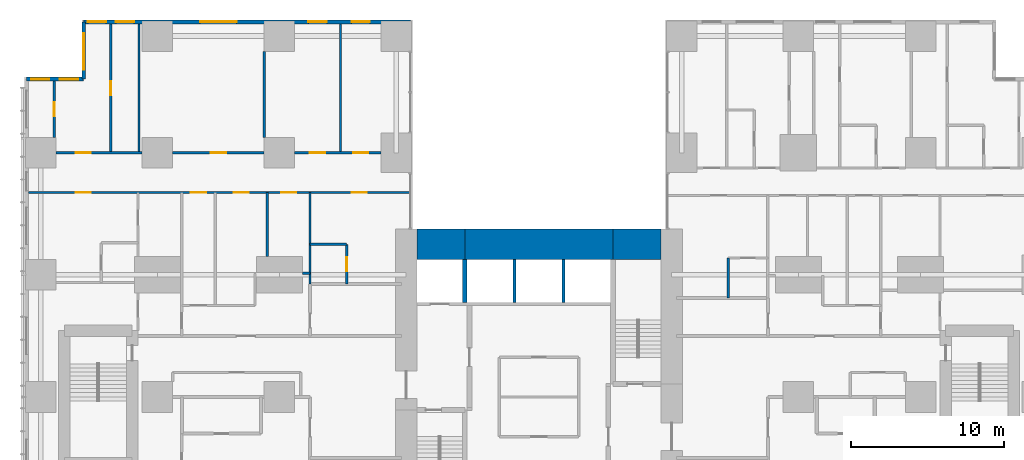
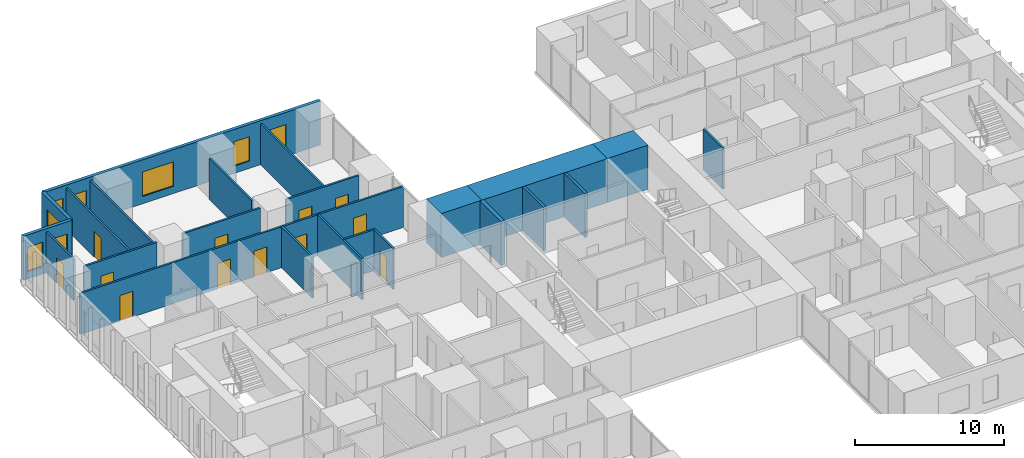
# One storey, part 17 of 21: 24 walls, 12 doors, 8 windows, 20 openings.
"""IFC4 building model written with IfcOpenShell, lengths in metres."""

from ifc_helpers import new_model, si_unit, direction, frame, frame_2d, origin, place, context, subcontext, project, spatial, rectangle, extrude, material, layer, layer_set, type_object, element, fill, save


model = new_model("IFC4")

# Units and contexts
model_context = context("Model", 3, precision=1e-05, world=origin(), true_north=direction((0.0, 1.0)))
body_context = subcontext(model_context, "Body", "Model", "MODEL_VIEW")
ifc_project = project(units=[si_unit("LENGTHUNIT", "METRE"), si_unit("AREAUNIT", "SQUARE_METRE"), si_unit("VOLUMEUNIT", "CUBIC_METRE"), si_unit("PLANEANGLEUNIT", "RADIAN"), si_unit("MASSUNIT", "GRAM", prefix="KILO")], contexts=[model_context])

# Site, building, storey
site_placement = place(None, origin())
site = spatial("IfcSite", under=ifc_project, at=site_placement, CompositionType="ELEMENT")
building_placement = place(site_placement, origin())
building = spatial("IfcBuilding", under=site, at=building_placement, Name="Cleftline Residences", CompositionType="ELEMENT")
storey_placement = place(building_placement, frame((0.0, 0.0, 58.39990234375)))
storey = spatial("IfcBuildingStorey", under=building, at=storey_placement, Name="L14", CompositionType="ELEMENT", Elevation=58.39990234375)

# Walls
ifc_material_1 = material(Name="Concrete B70", Category="concrete")
ifc_layer_1 = layer(ifc_material_1, 2.0)
ifc_layer_set_1 = layer_set([ifc_layer_1], Name="CORE WALL 2000")
wall_type_1 = type_object("IfcWallType", Name="CORE WALL 2000", PredefinedType="SHEAR", material=ifc_layer_set_1)
wall_1_placement = place(storey_placement, frame((25.0, 34.0, 0.0), z_axis=(0.0, 0.0, 1.0), x_axis=(1.0, 0.0, 0.0)))
element("IfcWall", 1, at=wall_1_placement, inside=storey, type_object=wall_type_1, Name="Core wall N1", PredefinedType="SHEAR", context=body_context, shape_type="SweptSolid", body=[
    extrude(rectangle(XDim=3.14990234375, YDim=2.0, at=frame_2d((1.574951171875, 0.0))), origin(), (0.0, 0.0, 1.0), 3.60009765625),
])
wall_2_placement = place(storey_placement, frame((28.14990234375, 34.0, 0.0), z_axis=(0.0, 0.0, 1.0), x_axis=(1.0, 0.0, 0.0)))
element("IfcWall", 2, at=wall_2_placement, inside=storey, type_object=wall_type_1, Name="Core wall N2", PredefinedType="SHEAR", context=body_context, shape_type="SweptSolid", body=[
    extrude(rectangle(XDim=9.7001953125, YDim=2.0, at=frame_2d((4.85009765625, 0.0))), origin(), (0.0, 0.0, 1.0), 3.60009765625),
])
wall_3_placement = place(storey_placement, frame((37.85009765625, 34.0, 0.0), z_axis=(0.0, 0.0, 1.0), x_axis=(1.0, 0.0, 0.0)))
element("IfcWall", 3, at=wall_3_placement, inside=storey, type_object=wall_type_1, Name="Core wall N3", PredefinedType="SHEAR", context=body_context, shape_type="SweptSolid", body=[
    extrude(rectangle(XDim=3.14990234375, YDim=2.0, at=frame_2d((1.574951171875, 0.0))), origin(), (0.0, 0.0, 1.0), 3.60009765625),
])
ifc_material_2 = material(Name="Concrete B70", Category="concrete")
ifc_layer_2 = layer(ifc_material_2, 0.300048828125)
ifc_layer_set_2 = layer_set([ifc_layer_2], Name="CORE WALL 300")
wall_type_2 = type_object("IfcWallType", Name="CORE WALL 300", PredefinedType="SHEAR", material=ifc_layer_set_2)
wall_4_placement = place(storey_placement, frame((28.14990234375, 30.199951171875, 0.0), z_axis=(0.0, 0.0, 1.0), x_axis=(0.0, 1.0, 0.0)))
element("IfcWall", 4, at=wall_4_placement, inside=storey, type_object=wall_type_2, Name="Lift shaft wall", PredefinedType="SHEAR", context=body_context, shape_type="SweptSolid", body=[
    extrude(rectangle(XDim=2.800048828125, YDim=0.300048828125, at=frame_2d((1.39990234375, 0.0))), origin(), (0.0, 0.0, 1.0), 3.60009765625),
])

# Wall, openings, windows
ifc_material_3 = material(Name="Rendered reinforced concrete blockwork", Category="masonry")
ifc_layer_3 = layer(ifc_material_3, 0.25)
ifc_layer_set_3 = layer_set([ifc_layer_3], Name="EXTERNAL WALL 250")
wall_type_3 = type_object("IfcWallType", Name="EXTERNAL WALL 250", PredefinedType="SOLIDWALL", material=ifc_layer_set_3)
wall_5_placement = place(storey_placement, frame((24.574951171875, 48.574951171875, 0.0), z_axis=(0.0, 0.0, 1.0), x_axis=(-1.0, 0.0, 0.0)))
wall_5 = element("IfcWall", 5, at=wall_5_placement, inside=storey, type_object=wall_type_3, Name="External wall", PredefinedType="SOLIDWALL", context=body_context, shape_type="SweptSolid", body=[
    extrude(rectangle(XDim=21.39990234375, YDim=0.25, at=frame_2d((10.699951171875, 0.0))), origin(), (0.0, 0.0, 1.0), 3.60009765625),
])
opening_1_placement = place(wall_5_placement, frame((2.64990234375, 0.0, 0.60009765625)))
opening_1 = element("IfcOpeningElement", 6, at=opening_1_placement, cuts=wall_5, Name="Opening W8", PredefinedType="OPENING", context=body_context, shape_type="SweptSolid", body=[
    extrude(rectangle(XDim=1.199951171875, YDim=2.0, at=frame_2d((0.60009765625, 1.0))), frame((0.0, 0.135009765625, 0.0), z_axis=(0.0, -1.0, 0.0), x_axis=(1.0, 0.0, 0.0)), (0.0, 0.0, 1.0), 0.27001953125),
])
opening_2_placement = place(wall_5_placement, frame((5.47509765625, 0.0, 0.60009765625)))
opening_2 = element("IfcOpeningElement", 7, at=opening_2_placement, cuts=wall_5, Name="Opening W8", PredefinedType="OPENING", context=body_context, shape_type="SweptSolid", body=[
    extrude(rectangle(XDim=1.199951171875, YDim=2.0, at=frame_2d((0.60009765625, 1.0))), frame((0.0, 0.135009765625, 0.0), z_axis=(0.0, -1.0, 0.0), x_axis=(1.0, 0.0, 0.0)), (0.0, 0.0, 1.0), 0.27001953125),
])
opening_3_placement = place(wall_5_placement, frame((11.375, 0.0, 0.60009765625)))
opening_3 = element("IfcOpeningElement", 8, at=opening_3_placement, cuts=wall_5, Name="Opening W6", PredefinedType="OPENING", context=body_context, shape_type="SweptSolid", body=[
    extrude(rectangle(XDim=2.39990234375, YDim=2.0, at=frame_2d((1.199951171875, 1.0))), frame((0.0, 0.135009765625, 0.0), z_axis=(0.0, -1.0, 0.0), x_axis=(1.0, 0.0, 0.0)), (0.0, 0.0, 1.0), 0.27001953125),
])
opening_4_placement = place(wall_5_placement, frame((18.10009765625, 0.0, 0.60009765625)))
opening_4 = element("IfcOpeningElement", 9, at=opening_4_placement, cuts=wall_5, Name="Opening W8", PredefinedType="OPENING", context=body_context, shape_type="SweptSolid", body=[
    extrude(rectangle(XDim=1.199951171875, YDim=2.0, at=frame_2d((0.60009765625, 1.0))), frame((0.0, 0.135009765625, 0.0), z_axis=(0.0, -1.0, 0.0), x_axis=(1.0, 0.0, 0.0)), (0.0, 0.0, 1.0), 0.27001953125),
])
opening_5_placement = place(wall_5_placement, frame((19.925048828125, 0.0, 0.60009765625)))
opening_5 = element("IfcOpeningElement", 10, at=opening_5_placement, cuts=wall_5, Name="Opening W8", PredefinedType="OPENING", context=body_context, shape_type="SweptSolid", body=[
    extrude(rectangle(XDim=1.199951171875, YDim=2.0, at=frame_2d((0.60009765625, 1.0))), frame((0.0, 0.135009765625, 0.0), z_axis=(0.0, -1.0, 0.0), x_axis=(1.0, 0.0, 0.0)), (0.0, 0.0, 1.0), 0.27001953125),
])
ifc_material_4 = material(Name="Aluminium frame, clear double glazing", Category="aluminium")
window_type_1 = type_object("IfcWindowType", Name="WINDOW 1200X2000", PartitioningType="DOUBLE_PANEL_VERTICAL", PredefinedType="WINDOW", material=ifc_material_4)
window_1_placement = place(opening_1_placement, origin())
window_1 = element("IfcWindow", 11, at=window_1_placement, inside=storey, type_object=window_type_1, Name="Window", OverallHeight=2.0, OverallWidth=1.199951171875, PartitioningType="SINGLE_PANEL", PredefinedType="WINDOW", context=body_context, shape_type="SweptSolid", body=[
    extrude(rectangle(XDim=1.199951171875, YDim=2.0, at=frame_2d((0.60009765625, 1.0))), frame((0.0, 0.030029296875, 0.0), z_axis=(0.0, -1.0, 0.0), x_axis=(1.0, 0.0, 0.0)), (0.0, 0.0, 1.0), 0.06005859375),
])
fill(opening_1, window_1)
window_2_placement = place(opening_2_placement, origin())
window_2 = element("IfcWindow", 12, at=window_2_placement, inside=storey, type_object=window_type_1, Name="Window", OverallHeight=2.0, OverallWidth=1.199951171875, PartitioningType="SINGLE_PANEL", PredefinedType="WINDOW", context=body_context, shape_type="SweptSolid", body=[
    extrude(rectangle(XDim=1.199951171875, YDim=2.0, at=frame_2d((0.60009765625, 1.0))), frame((0.0, 0.030029296875, 0.0), z_axis=(0.0, -1.0, 0.0), x_axis=(1.0, 0.0, 0.0)), (0.0, 0.0, 1.0), 0.06005859375),
])
fill(opening_2, window_2)
window_3_placement = place(opening_4_placement, origin())
window_3 = element("IfcWindow", 13, at=window_3_placement, inside=storey, type_object=window_type_1, Name="Window", OverallHeight=2.0, OverallWidth=1.199951171875, PartitioningType="SINGLE_PANEL", PredefinedType="WINDOW", context=body_context, shape_type="SweptSolid", body=[
    extrude(rectangle(XDim=1.199951171875, YDim=2.0, at=frame_2d((0.60009765625, 1.0))), frame((0.0, 0.030029296875, 0.0), z_axis=(0.0, -1.0, 0.0), x_axis=(1.0, 0.0, 0.0)), (0.0, 0.0, 1.0), 0.06005859375),
])
fill(opening_4, window_3)
window_4_placement = place(opening_5_placement, origin())
window_4 = element("IfcWindow", 14, at=window_4_placement, inside=storey, type_object=window_type_1, Name="Window", OverallHeight=2.0, OverallWidth=1.199951171875, PartitioningType="SINGLE_PANEL", PredefinedType="WINDOW", context=body_context, shape_type="SweptSolid", body=[
    extrude(rectangle(XDim=1.199951171875, YDim=2.0, at=frame_2d((0.60009765625, 1.0))), frame((0.0, 0.030029296875, 0.0), z_axis=(0.0, -1.0, 0.0), x_axis=(1.0, 0.0, 0.0)), (0.0, 0.0, 1.0), 0.06005859375),
])
fill(opening_5, window_4)
ifc_material_5 = material(Name="Aluminium frame, clear double glazing", Category="aluminium")
window_type_2 = type_object("IfcWindowType", Name="WINDOW 2400X2000", PartitioningType="DOUBLE_PANEL_VERTICAL", PredefinedType="WINDOW", material=ifc_material_5)
window_5_placement = place(opening_3_placement, origin())
window_5 = element("IfcWindow", 15, at=window_5_placement, inside=storey, type_object=window_type_2, Name="Window", OverallHeight=2.0, OverallWidth=2.39990234375, PartitioningType="SINGLE_PANEL", PredefinedType="WINDOW", context=body_context, shape_type="SweptSolid", body=[
    extrude(rectangle(XDim=2.39990234375, YDim=2.0, at=frame_2d((1.199951171875, 1.0))), frame((0.0, 0.030029296875, 0.0), z_axis=(0.0, -1.0, 0.0), x_axis=(1.0, 0.0, 0.0)), (0.0, 0.0, 1.0), 0.06005859375),
])
fill(opening_3, window_5)

# Wall, opening, window
wall_6_placement = place(storey_placement, frame((3.175048828125, 48.574951171875, 0.0), z_axis=(0.0, 0.0, 1.0), x_axis=(0.0, -1.0, 0.0)))
wall_6 = element("IfcWall", 16, at=wall_6_placement, inside=storey, type_object=wall_type_3, Name="External wall", PredefinedType="SOLIDWALL", context=body_context, shape_type="SweptSolid", body=[
    extrude(rectangle(XDim=3.75, YDim=0.25, at=frame_2d((1.875, 0.0))), origin(), (0.0, 0.0, 1.0), 3.60009765625),
])
opening_6_placement = place(wall_6_placement, frame((0.737548828125, 0.0, 0.60009765625)))
opening_6 = element("IfcOpeningElement", 17, at=opening_6_placement, cuts=wall_6, Name="Opening W6", PredefinedType="OPENING", context=body_context, shape_type="SweptSolid", body=[
    extrude(rectangle(XDim=2.39990234375, YDim=2.0, at=frame_2d((1.199951171875, 1.0))), frame((0.0, 0.135009765625, 0.0), z_axis=(0.0, -1.0, 0.0), x_axis=(1.0, 0.0, 0.0)), (0.0, 0.0, 1.0), 0.27001953125),
])
window_6_placement = place(opening_6_placement, origin())
window_6 = element("IfcWindow", 18, at=window_6_placement, inside=storey, type_object=window_type_2, Name="Window", OverallHeight=2.0, OverallWidth=2.39990234375, PartitioningType="SINGLE_PANEL", PredefinedType="WINDOW", context=body_context, shape_type="SweptSolid", body=[
    extrude(rectangle(XDim=2.39990234375, YDim=2.0, at=frame_2d((1.199951171875, 1.0))), frame((0.0, 0.030029296875, 0.0), z_axis=(0.0, -1.0, 0.0), x_axis=(1.0, 0.0, 0.0)), (0.0, 0.0, 1.0), 0.06005859375),
])
fill(opening_6, window_6)

# Wall, openings, windows
wall_7_placement = place(storey_placement, frame((3.175048828125, 44.824951171875, 0.0), z_axis=(0.0, 0.0, 1.0), x_axis=(-1.0, 0.0, 0.0)))
wall_7 = element("IfcWall", 19, at=wall_7_placement, inside=storey, type_object=wall_type_3, Name="External wall", PredefinedType="SOLIDWALL", context=body_context, shape_type="SweptSolid", body=[
    extrude(rectangle(XDim=3.75, YDim=0.25, at=frame_2d((1.875, 0.0))), origin(), (0.0, 0.0, 1.0), 3.60009765625),
])
opening_7_placement = place(wall_7_placement, frame((0.362548828125, 0.0, 0.60009765625)))
opening_7 = element("IfcOpeningElement", 20, at=opening_7_placement, cuts=wall_7, Name="Opening W8", PredefinedType="OPENING", context=body_context, shape_type="SweptSolid", body=[
    extrude(rectangle(XDim=1.199951171875, YDim=2.0, at=frame_2d((0.60009765625, 1.0))), frame((0.0, 0.135009765625, 0.0), z_axis=(0.0, -1.0, 0.0), x_axis=(1.0, 0.0, 0.0)), (0.0, 0.0, 1.0), 0.27001953125),
])
opening_8_placement = place(wall_7_placement, frame((2.25, 0.0, 0.60009765625)))
opening_8 = element("IfcOpeningElement", 21, at=opening_8_placement, cuts=wall_7, Name="Opening W8", PredefinedType="OPENING", context=body_context, shape_type="SweptSolid", body=[
    extrude(rectangle(XDim=1.199951171875, YDim=2.0, at=frame_2d((0.60009765625, 1.0))), frame((0.0, 0.135009765625, 0.0), z_axis=(0.0, -1.0, 0.0), x_axis=(1.0, 0.0, 0.0)), (0.0, 0.0, 1.0), 0.27001953125),
])
window_7_placement = place(opening_7_placement, origin())
window_7 = element("IfcWindow", 22, at=window_7_placement, inside=storey, type_object=window_type_1, Name="Window", OverallHeight=2.0, OverallWidth=1.199951171875, PartitioningType="SINGLE_PANEL", PredefinedType="WINDOW", context=body_context, shape_type="SweptSolid", body=[
    extrude(rectangle(XDim=1.199951171875, YDim=2.0, at=frame_2d((0.60009765625, 1.0))), frame((0.0, 0.030029296875, 0.0), z_axis=(0.0, -1.0, 0.0), x_axis=(1.0, 0.0, 0.0)), (0.0, 0.0, 1.0), 0.06005859375),
])
fill(opening_7, window_7)
window_8_placement = place(opening_8_placement, origin())
window_8 = element("IfcWindow", 23, at=window_8_placement, inside=storey, type_object=window_type_1, Name="Window", OverallHeight=2.0, OverallWidth=1.199951171875, PartitioningType="SINGLE_PANEL", PredefinedType="WINDOW", context=body_context, shape_type="SweptSolid", body=[
    extrude(rectangle(XDim=1.199951171875, YDim=2.0, at=frame_2d((0.60009765625, 1.0))), frame((0.0, 0.030029296875, 0.0), z_axis=(0.0, -1.0, 0.0), x_axis=(1.0, 0.0, 0.0)), (0.0, 0.0, 1.0), 0.06005859375),
])
fill(opening_8, window_8)

# Walls
ifc_material_6 = material(Name="Gypsum board on steel studs", Category="steel")
ifc_layer_4 = layer(ifc_material_6, 0.14990234375)
ifc_layer_set_4 = layer_set([ifc_layer_4], Name="PARTITION 150")
wall_type_4 = type_object("IfcWallType", Name="PARTITION 150", PredefinedType="PARTITIONING", material=ifc_layer_set_4)
wall_8_placement = place(storey_placement, frame((17.5, 32.10009765625, 0.0), z_axis=(0.0, 0.0, 1.0), x_axis=(1.0, 0.0, 0.0)))
element("IfcWall", 24, at=wall_8_placement, inside=storey, type_object=wall_type_4, Name="Partition", PredefinedType="PARTITIONING", context=body_context, shape_type="SweptSolid", body=[
    extrude(rectangle(XDim=0.5, YDim=0.14990234375, at=frame_2d((0.25, 0.0))), origin(), (0.0, 0.0, 1.0), 2.634033203125),
])
wall_9_placement = place(storey_placement, frame((18.0, 34.0, 0.0), z_axis=(0.0, 0.0, 1.0), x_axis=(1.0, 0.0, 0.0)))
element("IfcWall", 25, at=wall_9_placement, inside=storey, type_object=wall_type_4, Name="Partition", PredefinedType="PARTITIONING", context=body_context, shape_type="SweptSolid", body=[
    extrude(rectangle(XDim=2.39990234375, YDim=0.14990234375, at=frame_2d((1.199951171875, 0.0))), origin(), (0.0, 0.0, 1.0), 3.35009765625),
])

# Wall, openings, doors
wall_10_placement = place(storey_placement, frame((-0.449951171875, 37.39990234375, 0.0), z_axis=(0.0, 0.0, 1.0), x_axis=(1.0, 0.0, 0.0)))
wall_10 = element("IfcWall", 26, at=wall_10_placement, inside=storey, type_object=wall_type_4, Name="Partition", PredefinedType="PARTITIONING", context=body_context, shape_type="SweptSolid", body=[
    extrude(rectangle(XDim=25.010986328125, YDim=0.14990234375, at=frame_2d((12.50537109375, 0.0))), origin(), (0.0, 0.0, 1.0), 3.35009765625),
])
opening_9_placement = place(wall_10_placement, frame((10.64990234375, 0.0, 0.0)))
opening_9 = element("IfcOpeningElement", 27, at=opening_9_placement, cuts=wall_10, Name="Opening D2", PredefinedType="OPENING", context=body_context, shape_type="SweptSolid", body=[
    extrude(rectangle(XDim=1.0, YDim=2.10009765625, at=frame_2d((0.5, 1.050048828125))), frame((0.0, 0.0849609375, 0.0), z_axis=(0.0, -1.0, 0.0), x_axis=(1.0, 0.0, 0.0)), (0.0, 0.0, 1.0), 0.169921875),
])
opening_10_placement = place(wall_10_placement, frame((3.08740234375, 0.0, 0.0)))
opening_10 = element("IfcOpeningElement", 28, at=opening_10_placement, cuts=wall_10, Name="Opening D2", PredefinedType="OPENING", context=body_context, shape_type="SweptSolid", body=[
    extrude(rectangle(XDim=1.0, YDim=2.10009765625, at=frame_2d((0.5, 1.050048828125))), frame((0.0, 0.0849609375, 0.0), z_axis=(0.0, -1.0, 0.0), x_axis=(1.0, 0.0, 0.0)), (0.0, 0.0, 1.0), 0.169921875),
])
opening_11_placement = place(wall_10_placement, frame((13.449951171875, 0.0, 0.0)))
opening_11 = element("IfcOpeningElement", 29, at=opening_11_placement, cuts=wall_10, Name="Opening D2", PredefinedType="OPENING", context=body_context, shape_type="SweptSolid", body=[
    extrude(rectangle(XDim=1.0, YDim=2.10009765625, at=frame_2d((0.5, 1.050048828125))), frame((0.0, 0.0849609375, 0.0), z_axis=(0.0, -1.0, 0.0), x_axis=(1.0, 0.0, 0.0)), (0.0, 0.0, 1.0), 0.169921875),
])
opening_12_placement = place(wall_10_placement, frame((16.550048828125, 0.0, 0.0)))
opening_12 = element("IfcOpeningElement", 30, at=opening_12_placement, cuts=wall_10, Name="Opening D2", PredefinedType="OPENING", context=body_context, shape_type="SweptSolid", body=[
    extrude(rectangle(XDim=1.0, YDim=2.10009765625, at=frame_2d((0.5, 1.050048828125))), frame((0.0, 0.0849609375, 0.0), z_axis=(0.0, -1.0, 0.0), x_axis=(1.0, 0.0, 0.0)), (0.0, 0.0, 1.0), 0.169921875),
])
opening_13_placement = place(wall_10_placement, frame((21.175048828125, 0.0, 0.0)))
opening_13 = element("IfcOpeningElement", 31, at=opening_13_placement, cuts=wall_10, Name="Opening D2", PredefinedType="OPENING", context=body_context, shape_type="SweptSolid", body=[
    extrude(rectangle(XDim=1.0, YDim=2.10009765625, at=frame_2d((0.5, 1.050048828125))), frame((0.0, 0.0849609375, 0.0), z_axis=(0.0, -1.0, 0.0), x_axis=(1.0, 0.0, 0.0)), (0.0, 0.0, 1.0), 0.169921875),
])
ifc_material_7 = material(Name="Timber veneer on solid core", Category="wood")
door_type_1 = type_object("IfcDoorType", Name="DOOR 1000X2100", OperationType="SINGLE_SWING_LEFT", PredefinedType="DOOR", material=ifc_material_7)
door_1_placement = place(opening_9_placement, origin())
door_1 = element("IfcDoor", 32, at=door_1_placement, inside=storey, type_object=door_type_1, Name="Door to residence hall", OperationType="SINGLE_SWING_RIGHT", OverallHeight=2.10009765625, OverallWidth=1.0, PredefinedType="DOOR", context=body_context, shape_type="SweptSolid", body=[
    extrude(rectangle(XDim=1.0, YDim=2.10009765625, at=frame_2d((0.5, 1.050048828125))), frame((0.0, 0.02490234375, 0.0), z_axis=(0.0, -1.0, 0.0), x_axis=(1.0, 0.0, 0.0)), (0.0, 0.0, 1.0), 0.050048828125),
])
fill(opening_9, door_1)
door_2_placement = place(opening_10_placement, origin())
door_2 = element("IfcDoor", 33, at=door_2_placement, inside=storey, type_object=door_type_1, Name="Door to master bedroom", OperationType="SINGLE_SWING_RIGHT", OverallHeight=2.10009765625, OverallWidth=1.0, PredefinedType="DOOR", context=body_context, shape_type="SweptSolid", body=[
    extrude(rectangle(XDim=1.0, YDim=2.10009765625, at=frame_2d((0.5, 1.050048828125))), frame((0.0, 0.02490234375, 0.0), z_axis=(0.0, -1.0, 0.0), x_axis=(1.0, 0.0, 0.0)), (0.0, 0.0, 1.0), 0.050048828125),
])
fill(opening_10, door_2)
door_3_placement = place(opening_11_placement, origin())
door_3 = element("IfcDoor", 34, at=door_3_placement, inside=storey, type_object=door_type_1, Name="Door to family room", OperationType="SINGLE_SWING_LEFT", OverallHeight=2.10009765625, OverallWidth=1.0, PredefinedType="DOOR", context=body_context, shape_type="SweptSolid", body=[
    extrude(rectangle(XDim=1.0, YDim=2.10009765625, at=frame_2d((0.5, 1.050048828125))), frame((0.0, 0.02490234375, 0.0), z_axis=(0.0, -1.0, 0.0), x_axis=(1.0, 0.0, 0.0)), (0.0, 0.0, 1.0), 0.050048828125),
])
fill(opening_11, door_3)
door_4_placement = place(opening_12_placement, origin())
door_4 = element("IfcDoor", 35, at=door_4_placement, inside=storey, type_object=door_type_1, Name="Door to wet kitchen", OperationType="SINGLE_SWING_LEFT", OverallHeight=2.10009765625, OverallWidth=1.0, PredefinedType="DOOR", context=body_context, shape_type="SweptSolid", body=[
    extrude(rectangle(XDim=1.0, YDim=2.10009765625, at=frame_2d((0.5, 1.050048828125))), frame((0.0, 0.02490234375, 0.0), z_axis=(0.0, -1.0, 0.0), x_axis=(1.0, 0.0, 0.0)), (0.0, 0.0, 1.0), 0.050048828125),
])
fill(opening_12, door_4)
door_5_placement = place(opening_13_placement, origin())
door_5 = element("IfcDoor", 36, at=door_5_placement, inside=storey, type_object=door_type_1, Name="Door to bedroom 3", OperationType="SINGLE_SWING_LEFT", OverallHeight=2.10009765625, OverallWidth=1.0, PredefinedType="DOOR", context=body_context, shape_type="SweptSolid", body=[
    extrude(rectangle(XDim=1.0, YDim=2.10009765625, at=frame_2d((0.5, 1.050048828125))), frame((0.0, 0.02490234375, 0.0), z_axis=(0.0, -1.0, 0.0), x_axis=(1.0, 0.0, 0.0)), (0.0, 0.0, 1.0), 0.050048828125),
])
fill(opening_13, door_5)

# Wall, opening, door
wall_11_placement = place(storey_placement, frame((1.35009765625, 40.0, 0.0), z_axis=(0.0, 0.0, 1.0), x_axis=(1.0, 0.0, 0.0)))
wall_11 = element("IfcWall", 37, at=wall_11_placement, inside=storey, type_object=wall_type_4, Name="Partition", PredefinedType="PARTITIONING", context=body_context, shape_type="SweptSolid", body=[
    extrude(rectangle(XDim=5.64990234375, YDim=0.14990234375, at=frame_2d((2.824951171875, 0.0))), origin(), (0.0, 0.0, 1.0), 3.35009765625),
])
opening_14_placement = place(wall_11_placement, frame((1.300048828125, 0.0, 0.0)))
opening_14 = element("IfcOpeningElement", 38, at=opening_14_placement, cuts=wall_11, Name="Opening D2", PredefinedType="OPENING", context=body_context, shape_type="SweptSolid", body=[
    extrude(rectangle(XDim=1.0, YDim=2.10009765625, at=frame_2d((0.5, 1.050048828125))), frame((0.0, 0.0849609375, 0.0), z_axis=(0.0, -1.0, 0.0), x_axis=(1.0, 0.0, 0.0)), (0.0, 0.0, 1.0), 0.169921875),
])
door_6_placement = place(opening_14_placement, origin())
door_6 = element("IfcDoor", 39, at=door_6_placement, inside=storey, type_object=door_type_1, Name="Door to bedroom 2", OperationType="SINGLE_SWING_RIGHT", OverallHeight=2.10009765625, OverallWidth=1.0, PredefinedType="DOOR", context=body_context, shape_type="SweptSolid", body=[
    extrude(rectangle(XDim=1.0, YDim=2.10009765625, at=frame_2d((0.5, 1.050048828125))), frame((0.0, 0.02490234375, 0.0), z_axis=(0.0, -1.0, 0.0), x_axis=(1.0, 0.0, 0.0)), (0.0, 0.0, 1.0), 0.050048828125),
])
fill(opening_14, door_6)

wall_12_placement = place(storey_placement, frame((9.0, 40.0, 0.0), z_axis=(0.0, 0.0, 1.0), x_axis=(1.0, 0.0, 0.0)))
wall_12 = element("IfcWall", 40, at=wall_12_placement, inside=storey, type_object=wall_type_4, Name="Partition", PredefinedType="PARTITIONING", context=body_context, shape_type="SweptSolid", body=[
    extrude(rectangle(XDim=6.0, YDim=0.14990234375, at=frame_2d((3.0, 0.0))), origin(), (0.0, 0.0, 1.0), 3.35009765625),
])
opening_15_placement = place(wall_12_placement, frame((2.5, 0.0, 0.0)))
opening_15 = element("IfcOpeningElement", 41, at=opening_15_placement, cuts=wall_12, Name="Opening D2", PredefinedType="OPENING", context=body_context, shape_type="SweptSolid", body=[
    extrude(rectangle(XDim=1.0, YDim=2.10009765625, at=frame_2d((0.5, 1.050048828125))), frame((0.0, 0.0849609375, 0.0), z_axis=(0.0, -1.0, 0.0), x_axis=(1.0, 0.0, 0.0)), (0.0, 0.0, 1.0), 0.169921875),
])
door_7_placement = place(opening_15_placement, origin())
door_7 = element("IfcDoor", 42, at=door_7_placement, inside=storey, type_object=door_type_1, Name="Door to living room", OperationType="SINGLE_SWING_LEFT", OverallHeight=2.10009765625, OverallWidth=1.0, PredefinedType="DOOR", context=body_context, shape_type="SweptSolid", body=[
    extrude(rectangle(XDim=1.0, YDim=2.10009765625, at=frame_2d((0.5, 1.050048828125))), frame((0.0, 0.02490234375, 0.0), z_axis=(0.0, -1.0, 0.0), x_axis=(1.0, 0.0, 0.0)), (0.0, 0.0, 1.0), 0.050048828125),
])
fill(opening_15, door_7)

# Wall, openings, doors
wall_13_placement = place(storey_placement, frame((17.0, 40.0, 0.0), z_axis=(0.0, 0.0, 1.0), x_axis=(1.0, 0.0, 0.0)))
wall_13 = element("IfcWall", 43, at=wall_13_placement, inside=storey, type_object=wall_type_4, Name="Partition", PredefinedType="PARTITIONING", context=body_context, shape_type="SweptSolid", body=[
    extrude(rectangle(XDim=5.64990234375, YDim=0.14990234375, at=frame_2d((2.824951171875, 0.0))), origin(), (0.0, 0.0, 1.0), 3.35009765625),
])
opening_16_placement = place(wall_13_placement, frame((1.0, 0.0, 0.0)))
opening_16 = element("IfcOpeningElement", 44, at=opening_16_placement, cuts=wall_13, Name="Opening D2", PredefinedType="OPENING", context=body_context, shape_type="SweptSolid", body=[
    extrude(rectangle(XDim=1.0, YDim=2.10009765625, at=frame_2d((0.5, 1.050048828125))), frame((0.0, 0.0849609375, 0.0), z_axis=(0.0, -1.0, 0.0), x_axis=(1.0, 0.0, 0.0)), (0.0, 0.0, 1.0), 0.169921875),
])
opening_17_placement = place(wall_13_placement, frame((3.824951171875, 0.0, 0.0)))
opening_17 = element("IfcOpeningElement", 45, at=opening_17_placement, cuts=wall_13, Name="Opening D2", PredefinedType="OPENING", context=body_context, shape_type="SweptSolid", body=[
    extrude(rectangle(XDim=1.0, YDim=2.10009765625, at=frame_2d((0.5, 1.050048828125))), frame((0.0, 0.0849609375, 0.0), z_axis=(0.0, -1.0, 0.0), x_axis=(1.0, 0.0, 0.0)), (0.0, 0.0, 1.0), 0.169921875),
])
door_8_placement = place(opening_16_placement, origin())
door_8 = element("IfcDoor", 46, at=door_8_placement, inside=storey, type_object=door_type_1, Name="Door to dining room", OperationType="SINGLE_SWING_RIGHT", OverallHeight=2.10009765625, OverallWidth=1.0, PredefinedType="DOOR", context=body_context, shape_type="SweptSolid", body=[
    extrude(rectangle(XDim=1.0, YDim=2.10009765625, at=frame_2d((0.5, 1.050048828125))), frame((0.0, 0.02490234375, 0.0), z_axis=(0.0, -1.0, 0.0), x_axis=(1.0, 0.0, 0.0)), (0.0, 0.0, 1.0), 0.050048828125),
])
fill(opening_16, door_8)
door_9_placement = place(opening_17_placement, origin())
door_9 = element("IfcDoor", 47, at=door_9_placement, inside=storey, type_object=door_type_1, Name="Door to show kitchen", OperationType="SINGLE_SWING_LEFT", OverallHeight=2.10009765625, OverallWidth=1.0, PredefinedType="DOOR", context=body_context, shape_type="SweptSolid", body=[
    extrude(rectangle(XDim=1.0, YDim=2.10009765625, at=frame_2d((0.5, 1.050048828125))), frame((0.0, 0.02490234375, 0.0), z_axis=(0.0, -1.0, 0.0), x_axis=(1.0, 0.0, 0.0)), (0.0, 0.0, 1.0), 0.050048828125),
])
fill(opening_17, door_9)

# Wall, opening, door
wall_14_placement = place(storey_placement, frame((1.25, 41.0, 0.0), z_axis=(0.0, 0.0, 1.0), x_axis=(0.0, 1.0, 0.0)))
wall_14 = element("IfcWall", 48, at=wall_14_placement, inside=storey, type_object=wall_type_4, Name="Partition", PredefinedType="PARTITIONING", context=body_context, shape_type="SweptSolid", body=[
    extrude(rectangle(XDim=3.699951171875, YDim=0.14990234375, at=frame_2d((1.85009765625, 0.0))), origin(), (0.0, 0.0, 1.0), 3.35009765625),
])
opening_18_placement = place(wall_14_placement, frame((1.39990234375, 0.0, 0.0)))
opening_18 = element("IfcOpeningElement", 49, at=opening_18_placement, cuts=wall_14, Name="Opening D1", PredefinedType="OPENING", context=body_context, shape_type="SweptSolid", body=[
    extrude(rectangle(XDim=0.89990234375, YDim=2.10009765625, at=frame_2d((0.449951171875, 1.050048828125))), frame((0.0, 0.0849609375, 0.0), z_axis=(0.0, -1.0, 0.0), x_axis=(1.0, 0.0, 0.0)), (0.0, 0.0, 1.0), 0.169921875),
])
ifc_material_8 = material(Name="Timber veneer on solid core", Category="wood")
door_type_2 = type_object("IfcDoorType", Name="DOOR 900X2100", OperationType="SINGLE_SWING_LEFT", PredefinedType="DOOR", material=ifc_material_8)
door_10_placement = place(opening_18_placement, origin())
door_10 = element("IfcDoor", 50, at=door_10_placement, inside=storey, type_object=door_type_2, Name="Door to walk-in wardrobe", OperationType="SINGLE_SWING_LEFT", OverallHeight=2.10009765625, OverallWidth=0.89990234375, PredefinedType="DOOR", context=body_context, shape_type="SweptSolid", body=[
    extrude(rectangle(XDim=0.89990234375, YDim=2.10009765625, at=frame_2d((0.449951171875, 1.050048828125))), frame((0.0, 0.02490234375, 0.0), z_axis=(0.0, -1.0, 0.0), x_axis=(1.0, 0.0, 0.0)), (0.0, 0.0, 1.0), 0.050048828125),
])
fill(opening_18, door_10)

wall_15_placement = place(storey_placement, frame((4.949951171875, 40.0, 0.0), z_axis=(0.0, 0.0, 1.0), x_axis=(0.0, 1.0, 0.0)))
wall_15 = element("IfcWall", 51, at=wall_15_placement, inside=storey, type_object=wall_type_4, Name="Partition", PredefinedType="PARTITIONING", context=body_context, shape_type="SweptSolid", body=[
    extrude(rectangle(XDim=8.449951171875, YDim=0.14990234375, at=frame_2d((4.22509765625, 0.0))), origin(), (0.0, 0.0, 1.0), 3.35009765625),
])
opening_19_placement = place(wall_15_placement, frame((3.77490234375, 0.0, 0.0)))
opening_19 = element("IfcOpeningElement", 52, at=opening_19_placement, cuts=wall_15, Name="Opening D1", PredefinedType="OPENING", context=body_context, shape_type="SweptSolid", body=[
    extrude(rectangle(XDim=0.89990234375, YDim=2.10009765625, at=frame_2d((0.449951171875, 1.050048828125))), frame((0.0, 0.0849609375, 0.0), z_axis=(0.0, -1.0, 0.0), x_axis=(1.0, 0.0, 0.0)), (0.0, 0.0, 1.0), 0.169921875),
])
door_11_placement = place(opening_19_placement, origin())
door_11 = element("IfcDoor", 53, at=door_11_placement, inside=storey, type_object=door_type_2, Name="Door to en-suite bathroom 2", OperationType="SINGLE_SWING_LEFT", OverallHeight=2.10009765625, OverallWidth=0.89990234375, PredefinedType="DOOR", context=body_context, shape_type="SweptSolid", body=[
    extrude(rectangle(XDim=0.89990234375, YDim=2.10009765625, at=frame_2d((0.449951171875, 1.050048828125))), frame((0.0, 0.02490234375, 0.0), z_axis=(0.0, -1.0, 0.0), x_axis=(1.0, 0.0, 0.0)), (0.0, 0.0, 1.0), 0.050048828125),
])
fill(opening_19, door_11)

# Walls
wall_16_placement = place(storey_placement, frame((6.800048828125, 40.0, 0.0), z_axis=(0.0, 0.0, 1.0), x_axis=(0.0, 1.0, 0.0)))
element("IfcWall", 54, at=wall_16_placement, inside=storey, type_object=wall_type_4, Name="Partition", PredefinedType="PARTITIONING", context=body_context, shape_type="SweptSolid", body=[
    extrude(rectangle(XDim=8.449951171875, YDim=0.14990234375, at=frame_2d((4.22509765625, 0.0))), origin(), (0.0, 0.0, 1.0), 3.35009765625),
])
wall_17_placement = place(storey_placement, frame((15.0, 41.0, 0.0), z_axis=(0.0, 0.0, 1.0), x_axis=(0.0, 1.0, 0.0)))
element("IfcWall", 55, at=wall_17_placement, inside=storey, type_object=wall_type_4, Name="Partition", PredefinedType="PARTITIONING", context=body_context, shape_type="SweptSolid", body=[
    extrude(rectangle(XDim=5.64990234375, YDim=0.14990234375, at=frame_2d((2.824951171875, 0.0))), origin(), (0.0, 0.0, 1.0), 3.35009765625),
])
wall_18_placement = place(storey_placement, frame((15.199951171875, 33.199951171875, 0.0), z_axis=(0.0, 0.0, 1.0), x_axis=(0.0, 1.0, 0.0)))
element("IfcWall", 56, at=wall_18_placement, inside=storey, type_object=wall_type_4, Name="Partition", PredefinedType="PARTITIONING", context=body_context, shape_type="SweptSolid", body=[
    extrude(rectangle(XDim=4.199951171875, YDim=0.14990234375, at=frame_2d((2.10009765625, 0.0))), origin(), (0.0, 0.0, 1.0), 3.35009765625),
])
wall_19_placement = place(storey_placement, frame((18.0, 31.39990234375, 0.0), z_axis=(0.0, 0.0, 1.0), x_axis=(0.0, 1.0, 0.0)))
element("IfcWall", 57, at=wall_19_placement, inside=storey, type_object=wall_type_4, Name="Partition", PredefinedType="PARTITIONING", context=body_context, shape_type="SweptSolid", body=[
    extrude(rectangle(XDim=6.0, YDim=0.14990234375, at=frame_2d((3.0, 0.0))), origin(), (0.0, 0.0, 1.0), 3.35009765625),
])
wall_20_placement = place(storey_placement, frame((20.0, 40.0, 0.0), z_axis=(0.0, 0.0, 1.0), x_axis=(0.0, 1.0, 0.0)))
element("IfcWall", 58, at=wall_20_placement, inside=storey, type_object=wall_type_4, Name="Partition", PredefinedType="PARTITIONING", context=body_context, shape_type="SweptSolid", body=[
    extrude(rectangle(XDim=8.449951171875, YDim=0.14990234375, at=frame_2d((4.22509765625, 0.0))), origin(), (0.0, 0.0, 1.0), 3.35009765625),
])

# Wall, opening, door
wall_21_placement = place(storey_placement, frame((20.39990234375, 31.39990234375, 0.0), z_axis=(0.0, 0.0, 1.0), x_axis=(0.0, 1.0, 0.0)))
wall_21 = element("IfcWall", 59, at=wall_21_placement, inside=storey, type_object=wall_type_4, Name="Partition", PredefinedType="PARTITIONING", context=body_context, shape_type="SweptSolid", body=[
    extrude(rectangle(XDim=2.60009765625, YDim=0.14990234375, at=frame_2d((1.300048828125, 0.0))), origin(), (0.0, 0.0, 1.0), 3.35009765625),
])
opening_20_placement = place(wall_21_placement, frame((0.85009765625, 0.0, 0.0)))
opening_20 = element("IfcOpeningElement", 60, at=opening_20_placement, cuts=wall_21, Name="Opening D1", PredefinedType="OPENING", context=body_context, shape_type="SweptSolid", body=[
    extrude(rectangle(XDim=0.89990234375, YDim=2.10009765625, at=frame_2d((0.449951171875, 1.050048828125))), frame((0.0, 0.0849609375, 0.0), z_axis=(0.0, -1.0, 0.0), x_axis=(1.0, 0.0, 0.0)), (0.0, 0.0, 1.0), 0.169921875),
])
door_12_placement = place(opening_20_placement, origin())
door_12 = element("IfcDoor", 61, at=door_12_placement, inside=storey, type_object=door_type_2, Name="Door to en-suite bathroom 3", OperationType="SINGLE_SWING_LEFT", OverallHeight=2.10009765625, OverallWidth=0.89990234375, PredefinedType="DOOR", context=body_context, shape_type="SweptSolid", body=[
    extrude(rectangle(XDim=0.89990234375, YDim=2.10009765625, at=frame_2d((0.449951171875, 1.050048828125))), frame((0.0, 0.02490234375, 0.0), z_axis=(0.0, -1.0, 0.0), x_axis=(1.0, 0.0, 0.0)), (0.0, 0.0, 1.0), 0.050048828125),
])
fill(opening_20, door_12)

# Walls
wall_22_placement = place(storey_placement, frame((45.39990234375, 30.5, 0.0), z_axis=(0.0, 0.0, 1.0), x_axis=(0.0, 1.0, 0.0)))
element("IfcWall", 62, at=wall_22_placement, inside=storey, type_object=wall_type_4, Name="Partition", PredefinedType="PARTITIONING", context=body_context, shape_type="SweptSolid", body=[
    extrude(rectangle(XDim=2.60009765625, YDim=0.14990234375, at=frame_2d((1.300048828125, 0.0))), origin(), (0.0, 0.0, 1.0), 3.35009765625),
])
ifc_material_9 = material(Name="Concrete blockwork, fire rated", Category="masonry")
ifc_layer_5 = layer(ifc_material_9, 0.199951171875)
ifc_layer_set_5 = layer_set([ifc_layer_5], Name="SHAFT WALL 200")
wall_type_5 = type_object("IfcWallType", Name="SHAFT WALL 200", PredefinedType="PARTITIONING", material=ifc_layer_set_5)
for number, where, z_axis, x_axis, name in (
    (63, (31.39990234375, 30.199951171875, 0.0), (0.0, 0.0, 1.0), (0.0, 1.0, 0.0), "Lift shaft wall"),
    (64, (34.60009765625, 30.199951171875, 0.0), (0.0, 0.0, 1.0), (0.0, 1.0, 0.0), "Lift shaft wall"),
):
    element("IfcWall", number, at=place(storey_placement, frame(where, z_axis=z_axis, x_axis=x_axis)), inside=storey, type_object=wall_type_5, Name=name, PredefinedType="PARTITIONING", context=body_context, shape_type="SweptSolid", body=[
        extrude(rectangle(XDim=2.800048828125, YDim=0.199951171875, at=frame_2d((1.39990234375, 0.0))), origin(), (0.0, 0.0, 1.0), 3.60009765625),
    ])

save(model, "model.ifc")
